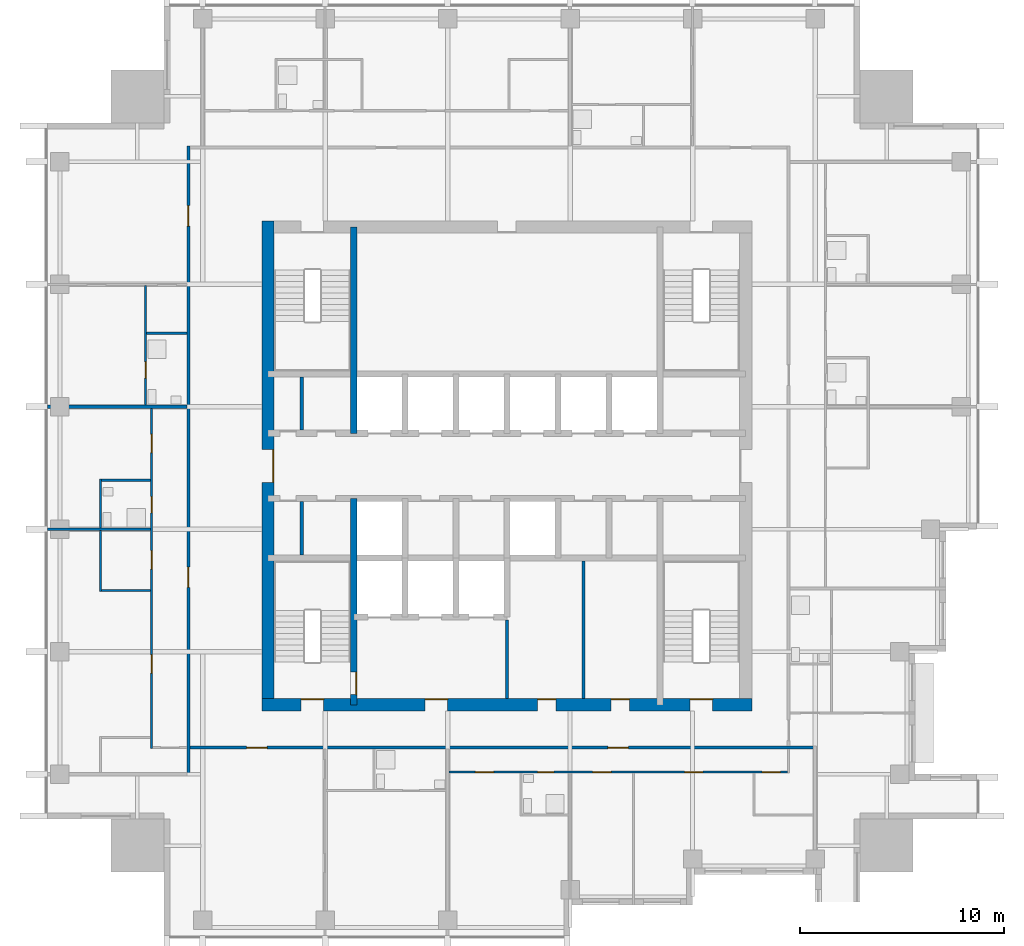
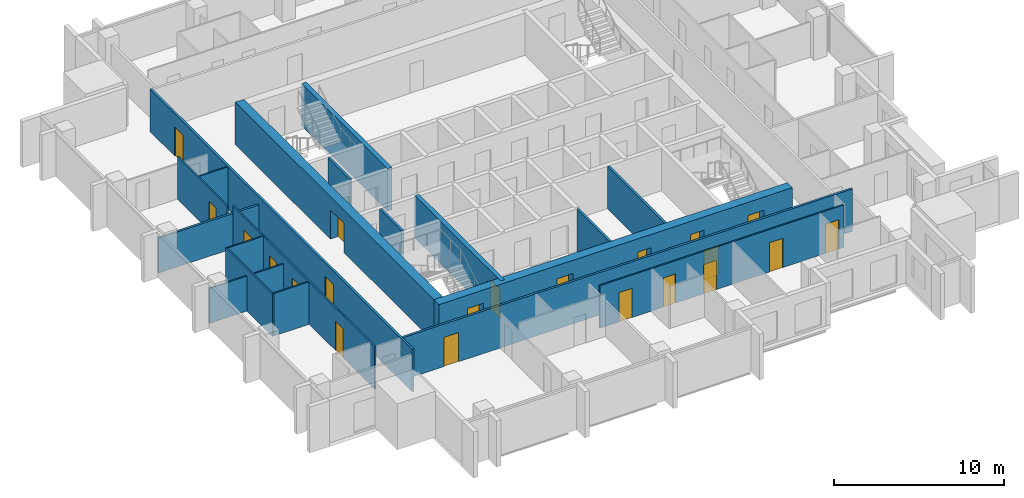
# One storey, part 4 of 10: 21 doors, 19 walls, 21 openings.
"""IFC4 building model written with IfcOpenShell, lengths in metres."""

import ifcopenshell
import ifcopenshell.guid

model = None  # the IFC model being written
_history = None  # IfcOwnerHistory: only IFC2X3 demands one
_inside = {}  # id of a spatial element -> (the spatial element, [elements in it])
_under = {}  # id of a project, library or spatial element -> (it, [spatial elements below it])
_declared = {}  # id of a project -> (the project, [libraries it declares])
_typed = {}  # id of a type object -> (the type object, [elements of that type])
_made_of = {}  # id of a material, layer set ... -> (it, [elements and type objects made of it])


def new_model(schema):
    """Start an empty IFC model of exactly this schema.

    Asked for "IFC4X3", IfcOpenShell would pick the latest addendum, in which some entities
    have other attributes; the version numbers below select the first issue.
    IFC2X3 requires an IfcOwnerHistory on every rooted entity: one is made here for all.
    """
    global model, _history
    if schema == "IFC4X3":
        model = ifcopenshell.file(schema_version=(4, 3, 0, 0))
    else:
        model = ifcopenshell.file(schema=schema)
    _inside.clear()
    _under.clear()
    _declared.clear()
    _typed.clear()
    _made_of.clear()
    _history = None
    if model.schema == "IFC2X3":
        org = make("IfcOrganization", Name="unknown")
        user = make(
            "IfcPersonAndOrganization",
            ThePerson=make("IfcPerson", FamilyName="unknown"),
            TheOrganization=org,
        )
        app = make(
            "IfcApplication",
            ApplicationDeveloper=org,
            Version="unknown",
            ApplicationFullName="unknown",
            ApplicationIdentifier="unknown",
        )
        _history = make(
            "IfcOwnerHistory",
            OwningUser=user,
            OwningApplication=app,
            ChangeAction="ADDED",
            CreationDate=0,
        )
    return model


def make(cls, **values):
    """One entity of the class cls with the attributes given. An attribute that is None is left unset."""
    return model.create_entity(
        cls, **{name: value for name, value in values.items() if value is not None}
    )


def rooted(cls, **values):
    """An entity with a GlobalId (a new one), such as an element, a storey or a relation."""
    return make(cls, GlobalId=ifcopenshell.guid.new(), OwnerHistory=_history, **values)


def si_unit(unit_type, name, prefix=None):
    """IfcSIUnit, for example si_unit("LENGTHUNIT", "METRE", prefix="MILLI")."""
    return make("IfcSIUnit", UnitType=unit_type, Prefix=prefix, Name=name)


def assignment(units):
    """IfcUnitAssignment: the units of a project."""
    return None if units is None else make("IfcUnitAssignment", Units=units)


def point(xyz):
    """IfcCartesianPoint."""
    return None if xyz is None else make("IfcCartesianPoint", Coordinates=xyz)


def direction(xyz):
    """IfcDirection."""
    return None if xyz is None else make("IfcDirection", DirectionRatios=xyz)


def frame(location, z_axis=None, x_axis=None):
    """IfcAxis2Placement3D, a coordinate frame: its origin and axes. An axis left out is left unset."""
    return make(
        "IfcAxis2Placement3D",
        Location=point(location),
        Axis=direction(z_axis),
        RefDirection=direction(x_axis),
    )


def frame_2d(location, x_axis=None):
    """IfcAxis2Placement2D, a coordinate frame in the plane: its origin and x axis."""
    return make(
        "IfcAxis2Placement2D", Location=point(location), RefDirection=direction(x_axis)
    )


def origin():
    """The frame at (0, 0, 0) with its axes left unset."""
    return frame((0.0, 0.0, 0.0))


def place(relative_to, where):
    """IfcLocalPlacement: puts the frame where relative to a parent placement (None: the world)."""
    return make(
        "IfcLocalPlacement", PlacementRelTo=relative_to, RelativePlacement=where
    )


def context(
    kind, dimensions, precision=None, world=None, true_north=None, identifier=None
):
    """IfcGeometricRepresentationContext, for example the 3D "Model" context."""
    return make(
        "IfcGeometricRepresentationContext",
        ContextIdentifier=identifier,
        ContextType=kind,
        CoordinateSpaceDimension=dimensions,
        Precision=precision,
        WorldCoordinateSystem=world,
        TrueNorth=true_north,
    )


def subcontext(parent, identifier, kind, view, scale=None):
    """IfcGeometricRepresentationSubContext, for example "Body" below "Model"."""
    return make(
        "IfcGeometricRepresentationSubContext",
        ContextIdentifier=identifier,
        ContextType=kind,
        ParentContext=parent,
        TargetScale=scale,
        TargetView=view,
    )


def project(units=None, contexts=None):
    """IfcProject with its units and contexts."""
    return rooted(
        "IfcProject",
        Name="project",
        RepresentationContexts=contexts,
        UnitsInContext=assignment(units),
    )


def spatial(cls, under=None, at=None, **own):
    """A site, building, storey or space (cls), placed at a placement, below another one or the project."""
    s = rooted(cls, ObjectPlacement=at, **own)
    if under is not None:
        _under.setdefault(under.id(), (under, []))[1].append(s)
    return s


def profile(cls, at=None, kind="AREA", **sizes):
    """A parametric profile (cls). Its sizes go by their IFC names, for example OverallWidth=200.0."""
    return make(cls, ProfileType=kind, Position=at, **sizes)


def rectangle(**sizes):
    """IfcRectangleProfileDef."""
    return profile("IfcRectangleProfileDef", **sizes)


def extrude(swept, where, along, depth):
    """IfcExtrudedAreaSolid: the profile swept, set in the frame where, extruded along a direction by depth."""
    return make(
        "IfcExtrudedAreaSolid",
        SweptArea=swept,
        Position=where,
        ExtrudedDirection=direction(along),
        Depth=depth,
    )


def shape(context_of_items, identifier, shape_type, items):
    """IfcShapeRepresentation: the items that make up one representation, for example the "Body"."""
    return make(
        "IfcShapeRepresentation",
        ContextOfItems=context_of_items,
        RepresentationIdentifier=identifier,
        RepresentationType=shape_type,
        Items=items,
    )


def material(Name=None, Category=None):
    """IfcMaterial."""
    return make("IfcMaterial", Name=Name, Category=Category)


def layer(
    of_material, thickness, ventilated=None, Name=None, Category=None, Priority=None
):
    """IfcMaterialLayer: one layer of a wall or slab, of a material (None: an air gap)."""
    return make(
        "IfcMaterialLayer",
        Material=of_material,
        LayerThickness=thickness,
        IsVentilated=ventilated,
        Name=Name,
        Category=Category,
        Priority=Priority,
    )


def layer_set(layers, Name=None):
    """IfcMaterialLayerSet."""
    return make("IfcMaterialLayerSet", MaterialLayers=layers, LayerSetName=Name)


def made_of(thing, what):
    """Note that an element or type object is made of a material, layer set ...; save() writes the relation."""
    if what is not None:
        _made_of.setdefault(what.id(), (what, []))[1].append(thing)
    return thing


def type_object(cls, material=None, **own):
    """A type object (cls), such as IfcWallType, which elements share."""
    return made_of(rooted(cls, **own), material)


def element(
    cls,
    number,
    at=None,
    inside=None,
    cuts=None,
    type_object=None,
    material=None,
    context=None,
    identifier="Body",
    shape_type=None,
    held_by="IfcProductDefinitionShape",
    body=None,
    shapes=None,
    **own,
):
    """One element of the class cls, such as IfcWall. Its Tag is "e" and its number.

    at: its placement. inside: the storey or other place that contains it. cuts: it is an
    opening in that element (IfcRelVoidsElement). A single representation is given by context,
    identifier, shape_type and body (its items); several are given by shapes. held_by: the class
    of the entity that holds the representations. save() writes the other relations.
    """
    e = rooted(cls, Tag="e%d" % number, ObjectPlacement=at, **own)
    if body is not None:
        shapes = [shape(context, identifier, shape_type, body)]
    if shapes is not None:
        e.Representation = make(held_by, Representations=shapes)
    if inside is not None:
        _inside.setdefault(inside.id(), (inside, []))[1].append(e)
    if cuts is not None:
        rooted(
            "IfcRelVoidsElement", RelatingBuildingElement=cuts, RelatedOpeningElement=e
        )
    if type_object is not None:
        _typed.setdefault(type_object.id(), (type_object, []))[1].append(e)
    return made_of(e, material)


def fill(opening, filler):
    """IfcRelFillsElement: the door or window that sits in an opening."""
    return rooted(
        "IfcRelFillsElement",
        RelatingOpeningElement=opening,
        RelatedBuildingElement=filler,
    )


def aggregate(whole, parts):
    """IfcRelAggregates: a whole, such as a stair, and the parts it consists of."""
    return rooted("IfcRelAggregates", RelatingObject=whole, RelatedObjects=parts)


def save(model, path):
    """Write the relations noted so far, then the file.

    IfcRelAggregates (storeys below a building ...), IfcRelContainedInSpatialStructure (elements
    in a storey), IfcRelDefinesByType, IfcRelAssociatesMaterial and IfcRelDeclares: one each for
    every whole, place, type object, material and project.
    """
    for whole, parts in _under.values():
        aggregate(whole, parts)
    for where, things in _inside.values():
        rooted(
            "IfcRelContainedInSpatialStructure",
            RelatedElements=things,
            RelatingStructure=where,
        )
    for kind, things in _typed.values():
        rooted("IfcRelDefinesByType", RelatedObjects=things, RelatingType=kind)
    for what, things in _made_of.values():
        rooted("IfcRelAssociatesMaterial", RelatedObjects=things, RelatingMaterial=what)
    for by, libraries in _declared.values():
        rooted("IfcRelDeclares", RelatingContext=by, RelatedDefinitions=libraries)
    model.write(path)


model = new_model("IFC4")

# Units and contexts
model_context = context("Model", 3, precision=1e-05, world=origin(), true_north=direction((0.0, 1.0)))
body_context = subcontext(model_context, "Body", "Model", "MODEL_VIEW")
ifc_project = project(units=[si_unit("LENGTHUNIT", "METRE"), si_unit("AREAUNIT", "SQUARE_METRE"), si_unit("VOLUMEUNIT", "CUBIC_METRE"), si_unit("PLANEANGLEUNIT", "RADIAN"), si_unit("MASSUNIT", "GRAM", prefix="KILO")], contexts=[model_context])

# Site, building, storey
site_placement = place(None, origin())
site = spatial("IfcSite", under=ifc_project, at=site_placement, CompositionType="ELEMENT")
building_placement = place(site_placement, origin())
building = spatial("IfcBuilding", under=site, at=building_placement, Name="Amberfall Residences", CompositionType="ELEMENT")
storey_placement = place(building_placement, frame((0.0, 0.0, 190.300048828125)))
storey = spatial("IfcBuildingStorey", under=building, at=storey_placement, Name="L50", CompositionType="ELEMENT", Elevation=190.300048828125)

# Wall, opening, door
ifc_material_1 = material(Name="Concrete C55", Category="concrete")
ifc_layer_1 = layer(ifc_material_1, 0.300048828125)
ifc_layer_set_1 = layer_set([ifc_layer_1], Name="Core wall 300 C55")
wall_type_1 = type_object("IfcWallType", Name="Core wall 300 C55", PredefinedType="SHEAR", material=ifc_layer_set_1)
wall_1_placement = place(storey_placement, frame((67.0, 33.800048828125, 0.0), z_axis=(0.0, 0.0, 1.0), x_axis=(0.0, 1.0, 0.0)))
wall_1 = element("IfcWall", 1, at=wall_1_placement, inside=storey, type_object=wall_type_1, Name="Core wall RW8 L50 V45S", PredefinedType="SHEAR", context=body_context, shape_type="SweptSolid", body=[
    extrude(rectangle(XDim=10.099853515625, YDim=0.300048828125, at=frame_2d((5.0498046875, 0.0))), origin(), (0.0, 0.0, 1.0), 3.050048828125),
])
opening_1_placement = place(wall_1_placement, frame((0.5, 0.0, 0.0)))
opening_1 = element("IfcOpeningElement", 2, at=opening_1_placement, cuts=wall_1, Name="Opening FL1", PredefinedType="OPENING", context=body_context, shape_type="SweptSolid", body=[
    extrude(rectangle(XDim=1.10009765625, YDim=2.10009765625, at=frame_2d((0.550048828125, 1.050048828125))), frame((0.0, 0.159912109375, 0.0), z_axis=(0.0, -1.0, 0.0), x_axis=(1.0, 0.0, 0.0)), (0.0, 0.0, 1.0), 0.320068359375),
])
ifc_material_2 = material(Name="Steel fire door set", Category="steel")
door_type_1 = type_object("IfcDoorType", Name="Firefighting lobby door 1100 x 2100", OperationType="SINGLE_SWING_LEFT", PredefinedType="DOOR", material=ifc_material_2)
door_1_placement = place(opening_1_placement, origin())
door_1 = element("IfcDoor", 3, at=door_1_placement, inside=storey, type_object=door_type_1, Name="FL1 L50", OperationType="SINGLE_SWING_RIGHT", OverallHeight=2.10009765625, OverallWidth=1.10009765625, PredefinedType="DOOR", context=body_context, shape_type="SweptSolid", body=[
    extrude(rectangle(XDim=1.10009765625, YDim=2.10009765625, at=frame_2d((0.550048828125, 1.050048828125))), frame((0.0, -0.08740234375, 0.0), z_axis=(0.0, -1.0, 0.0), x_axis=(1.0, 0.0, 0.0)), (0.0, 0.0, 1.0), 0.050048828125),
])
fill(opening_1, door_1)

# Wall
wall_2_placement = place(storey_placement, frame((67.0, 47.10009765625, 0.0), z_axis=(0.0, 0.0, 1.0), x_axis=(0.0, 1.0, 0.0)))
element("IfcWall", 4, at=wall_2_placement, inside=storey, type_object=wall_type_1, Name="Core wall RW8 L50 V45N", PredefinedType="SHEAR", context=body_context, shape_type="SweptSolid", body=[
    extrude(rectangle(XDim=10.099853515625, YDim=0.300048828125, at=frame_2d((5.0498046875, 0.0))), origin(), (0.0, 0.0, 1.0), 3.050048828125),
])

# Wall, openings, doors
ifc_layer_2 = layer(ifc_material_1, 0.60009765625)
ifc_layer_set_2 = layer_set([ifc_layer_2], Name="Core wall 600 C55")
wall_type_2 = type_object("IfcWallType", Name="Core wall 600 C55", PredefinedType="SHEAR", material=ifc_layer_set_2)
wall_3_placement = place(storey_placement, frame((62.5, 33.800048828125, 0.0), z_axis=(0.0, 0.0, 1.0), x_axis=(1.0, 0.0, 0.0)))
wall_3 = element("IfcWall", 5, at=wall_3_placement, inside=storey, type_object=wall_type_2, Name="Core wall RW7 L50 OS", PredefinedType="SHEAR", context=body_context, shape_type="SweptSolid", body=[
    extrude(rectangle(XDim=24.0, YDim=0.60009765625, at=frame_2d((12.0, 0.0))), origin(), (0.0, 0.0, 1.0), 3.050048828125),
])
opening_2_placement = place(wall_3_placement, frame((1.925048828125, 0.0, 0.0)))
opening_2 = element("IfcOpeningElement", 6, at=opening_2_placement, cuts=wall_3, Name="Opening SD1", PredefinedType="OPENING", context=body_context, shape_type="SweptSolid", body=[
    extrude(rectangle(XDim=1.10009765625, YDim=2.10009765625, at=frame_2d((0.550048828125, 1.050048828125))), frame((0.0, 0.31005859375, 0.0), z_axis=(0.0, -1.0, 0.0), x_axis=(1.0, 0.0, 0.0)), (0.0, 0.0, 1.0), 0.6201171875),
])
opening_3_placement = place(wall_3_placement, frame((20.97509765625, 0.0, 0.0)))
opening_3 = element("IfcOpeningElement", 7, at=opening_3_placement, cuts=wall_3, Name="Opening SD1", PredefinedType="OPENING", context=body_context, shape_type="SweptSolid", body=[
    extrude(rectangle(XDim=1.10009765625, YDim=2.10009765625, at=frame_2d((0.550048828125, 1.050048828125))), frame((0.0, 0.31005859375, 0.0), z_axis=(0.0, -1.0, 0.0), x_axis=(1.0, 0.0, 0.0)), (0.0, 0.0, 1.0), 0.6201171875),
])
opening_4_placement = place(wall_3_placement, frame((8.0, 0.0, 0.0)))
opening_4 = element("IfcOpeningElement", 8, at=opening_4_placement, cuts=wall_3, Name="Opening FL1", PredefinedType="OPENING", context=body_context, shape_type="SweptSolid", body=[
    extrude(rectangle(XDim=1.10009765625, YDim=2.10009765625, at=frame_2d((0.550048828125, 1.050048828125))), frame((0.0, 0.31005859375, 0.0), z_axis=(0.0, -1.0, 0.0), x_axis=(1.0, 0.0, 0.0)), (0.0, 0.0, 1.0), 0.6201171875),
])
opening_5_placement = place(wall_3_placement, frame((13.5, 0.0, 0.0)))
opening_5 = element("IfcOpeningElement", 9, at=opening_5_placement, cuts=wall_3, Name="Opening RD1", PredefinedType="OPENING", context=body_context, shape_type="SweptSolid", body=[
    extrude(rectangle(XDim=0.89990234375, YDim=2.10009765625, at=frame_2d((0.449951171875, 1.050048828125))), frame((0.0, 0.31005859375, 0.0), z_axis=(0.0, -1.0, 0.0), x_axis=(1.0, 0.0, 0.0)), (0.0, 0.0, 1.0), 0.6201171875),
])
opening_6_placement = place(wall_3_placement, frame((17.10009765625, 0.0, 0.0)))
opening_6 = element("IfcOpeningElement", 10, at=opening_6_placement, cuts=wall_3, Name="Opening RD1", PredefinedType="OPENING", context=body_context, shape_type="SweptSolid", body=[
    extrude(rectangle(XDim=0.89990234375, YDim=2.10009765625, at=frame_2d((0.449951171875, 1.050048828125))), frame((0.0, 0.31005859375, 0.0), z_axis=(0.0, -1.0, 0.0), x_axis=(1.0, 0.0, 0.0)), (0.0, 0.0, 1.0), 0.6201171875),
])
door_2_placement = place(opening_4_placement, origin())
door_2 = element("IfcDoor", 11, at=door_2_placement, inside=storey, type_object=door_type_1, Name="FL1 L50", OperationType="SINGLE_SWING_LEFT", OverallHeight=2.10009765625, OverallWidth=1.10009765625, PredefinedType="DOOR", context=body_context, shape_type="SweptSolid", body=[
    extrude(rectangle(XDim=1.10009765625, YDim=2.10009765625, at=frame_2d((0.550048828125, 1.050048828125))), frame((0.0, 0.28759765625, 0.0), z_axis=(0.0, -1.0, 0.0), x_axis=(1.0, 0.0, 0.0)), (0.0, 0.0, 1.0), 0.050048828125),
])
fill(opening_4, door_2)
door_type_2 = type_object("IfcDoorType", Name="Service room door 900 x 2100", OperationType="SINGLE_SWING_LEFT", PredefinedType="DOOR", material=ifc_material_2)
door_3_placement = place(opening_5_placement, origin())
door_3 = element("IfcDoor", 12, at=door_3_placement, inside=storey, type_object=door_type_2, Name="RD1 L50", OperationType="SINGLE_SWING_LEFT", OverallHeight=2.10009765625, OverallWidth=0.89990234375, PredefinedType="DOOR", context=body_context, shape_type="SweptSolid", body=[
    extrude(rectangle(XDim=0.89990234375, YDim=2.10009765625, at=frame_2d((0.449951171875, 1.050048828125))), frame((0.0, 0.28759765625, 0.0), z_axis=(0.0, -1.0, 0.0), x_axis=(1.0, 0.0, 0.0)), (0.0, 0.0, 1.0), 0.050048828125),
])
fill(opening_5, door_3)
door_4_placement = place(opening_6_placement, origin())
door_4 = element("IfcDoor", 13, at=door_4_placement, inside=storey, type_object=door_type_2, Name="RD1 L50", OperationType="SINGLE_SWING_LEFT", OverallHeight=2.10009765625, OverallWidth=0.89990234375, PredefinedType="DOOR", context=body_context, shape_type="SweptSolid", body=[
    extrude(rectangle(XDim=0.89990234375, YDim=2.10009765625, at=frame_2d((0.449951171875, 1.050048828125))), frame((0.0, 0.28759765625, 0.0), z_axis=(0.0, -1.0, 0.0), x_axis=(1.0, 0.0, 0.0)), (0.0, 0.0, 1.0), 0.050048828125),
])
fill(opening_6, door_4)
door_type_3 = type_object("IfcDoorType", Name="Stair door 1100 x 2100", OperationType="SINGLE_SWING_LEFT", PredefinedType="DOOR", material=ifc_material_2)
door_5_placement = place(opening_2_placement, origin())
door_5 = element("IfcDoor", 14, at=door_5_placement, inside=storey, type_object=door_type_3, Name="SD1 L50", OperationType="SINGLE_SWING_LEFT", OverallHeight=2.10009765625, OverallWidth=1.10009765625, PredefinedType="DOOR", context=body_context, shape_type="SweptSolid", body=[
    extrude(rectangle(XDim=1.10009765625, YDim=2.10009765625, at=frame_2d((0.550048828125, 1.050048828125))), frame((0.0, 0.28759765625, 0.0), z_axis=(0.0, -1.0, 0.0), x_axis=(1.0, 0.0, 0.0)), (0.0, 0.0, 1.0), 0.050048828125),
])
fill(opening_2, door_5)
door_6_placement = place(opening_3_placement, origin())
door_6 = element("IfcDoor", 15, at=door_6_placement, inside=storey, type_object=door_type_3, Name="SD1 L50", OperationType="SINGLE_SWING_RIGHT", OverallHeight=2.10009765625, OverallWidth=1.10009765625, PredefinedType="DOOR", context=body_context, shape_type="SweptSolid", body=[
    extrude(rectangle(XDim=1.10009765625, YDim=2.10009765625, at=frame_2d((0.550048828125, 1.050048828125))), frame((0.0, 0.28759765625, 0.0), z_axis=(0.0, -1.0, 0.0), x_axis=(1.0, 0.0, 0.0)), (0.0, 0.0, 1.0), 0.050048828125),
])
fill(opening_3, door_6)

# Wall, opening, door
wall_4_placement = place(storey_placement, frame((62.800048828125, 33.5, 0.0), z_axis=(0.0, 0.0, 1.0), x_axis=(0.0, 1.0, 0.0)))
wall_4 = element("IfcWall", 16, at=wall_4_placement, inside=storey, type_object=wall_type_2, Name="Core wall RW7 L50 OW", PredefinedType="SHEAR", context=body_context, shape_type="SweptSolid", body=[
    extrude(rectangle(XDim=24.0, YDim=0.60009765625, at=frame_2d((12.0, 0.0))), origin(), (0.0, 0.0, 1.0), 3.050048828125),
])
opening_7_placement = place(wall_4_placement, frame((11.199951171875, 0.0, 0.0)))
opening_7 = element("IfcOpeningElement", 17, at=opening_7_placement, cuts=wall_4, Name="Opening LB1", PredefinedType="OPENING", context=body_context, shape_type="SweptSolid", body=[
    extrude(rectangle(XDim=1.60009765625, YDim=2.10009765625, at=frame_2d((0.800048828125, 1.050048828125))), frame((0.0, 0.31005859375, 0.0), z_axis=(0.0, -1.0, 0.0), x_axis=(1.0, 0.0, 0.0)), (0.0, 0.0, 1.0), 0.6201171875),
])
door_type_4 = type_object("IfcDoorType", Name="Lift lobby double door 1600 x 2100", OperationType="DOUBLE_DOOR_SINGLE_SWING", PredefinedType="DOOR", material=ifc_material_2)
door_7_placement = place(opening_7_placement, origin())
door_7 = element("IfcDoor", 18, at=door_7_placement, inside=storey, type_object=door_type_4, Name="LB1 L50", OperationType="DOUBLE_DOOR_SINGLE_SWING", OverallHeight=2.10009765625, OverallWidth=1.60009765625, PredefinedType="DOOR", context=body_context, shape_type="SweptSolid", body=[
    extrude(rectangle(XDim=1.60009765625, YDim=2.10009765625, at=frame_2d((0.800048828125, 1.050048828125))), frame((0.0, -0.2373046875, 0.0), z_axis=(0.0, -1.0, 0.0), x_axis=(1.0, 0.0, 0.0)), (0.0, 0.0, 1.0), 0.050048828125),
])
fill(opening_7, door_7)

# Wall
ifc_material_3 = material(Name="Gypsum board on metal stud")
ifc_layer_3 = layer(ifc_material_3, 0.10009765625)
ifc_layer_set_3 = layer_set([ifc_layer_3], Name="Flat partition 100")
wall_type_3 = type_object("IfcWallType", Name="Flat partition 100", PredefinedType="PARTITIONING", material=ifc_layer_set_3)
wall_5_placement = place(storey_placement, frame((54.60009765625, 39.35009765625, 0.0), z_axis=(0.0, 0.0, 1.0), x_axis=(0.0, 1.0, 0.0)))
element("IfcWall", 19, at=wall_5_placement, inside=storey, type_object=wall_type_3, Name="Partition 002", PredefinedType="PARTITIONING", context=body_context, shape_type="SweptSolid", body=[
    extrude(rectangle(XDim=5.5, YDim=0.10009765625, at=frame_2d((2.75, 0.0))), origin(), (0.0, 0.0, 1.0), 3.050048828125),
])

# Wall, opening, door
wall_6_placement = place(storey_placement, frame((56.800048828125, 54.35009765625, 0.0), z_axis=(0.0, 0.0, 1.0), x_axis=(0.0, -1.0, 0.0)))
wall_6 = element("IfcWall", 20, at=wall_6_placement, inside=storey, type_object=wall_type_3, Name="Partition 003", PredefinedType="PARTITIONING", context=body_context, shape_type="SweptSolid", body=[
    extrude(rectangle(XDim=5.875, YDim=0.10009765625, at=frame_2d((2.9375, 0.0))), origin(), (0.0, 0.0, 1.0), 3.050048828125),
])
opening_8_placement = place(wall_6_placement, frame((3.75, 0.0, 0.0)))
opening_8 = element("IfcOpeningElement", 21, at=opening_8_placement, cuts=wall_6, Name="Opening D42", PredefinedType="OPENING", context=body_context, shape_type="SweptSolid", body=[
    extrude(rectangle(XDim=0.800048828125, YDim=2.10009765625, at=frame_2d((0.39990234375, 1.050048828125))), frame((0.0, 0.06005859375, 0.0), z_axis=(0.0, -1.0, 0.0), x_axis=(1.0, 0.0, 0.0)), (0.0, 0.0, 1.0), 0.1201171875),
])
ifc_material_4 = material(Name="Timber", Category="wood")
door_type_5 = type_object("IfcDoorType", Name="Bathroom door 800 x 2100", OperationType="SINGLE_SWING_LEFT", PredefinedType="DOOR", material=ifc_material_4)
door_8_placement = place(opening_8_placement, origin())
door_8 = element("IfcDoor", 22, at=door_8_placement, inside=storey, type_object=door_type_5, Name="Door 5008 bath1", OperationType="SINGLE_SWING_LEFT", OverallHeight=2.10009765625, OverallWidth=0.800048828125, PredefinedType="DOOR", context=body_context, shape_type="SweptSolid", body=[
    extrude(rectangle(XDim=0.800048828125, YDim=2.10009765625, at=frame_2d((0.39990234375, 1.050048828125))), frame((0.0, 0.02490234375, 0.0), z_axis=(0.0, -1.0, 0.0), x_axis=(1.0, 0.0, 0.0)), (0.0, 0.0, 1.0), 0.050048828125),
])
fill(opening_8, door_8)

# Wall, openings, doors
wall_7_placement = place(storey_placement, frame((57.10009765625, 31.64990234375, 0.0), z_axis=(0.0, 0.0, 1.0), x_axis=(0.0, 1.0, 0.0)))
wall_7 = element("IfcWall", 23, at=wall_7_placement, inside=storey, type_object=wall_type_3, Name="Partition 004", PredefinedType="PARTITIONING", context=body_context, shape_type="SweptSolid", body=[
    extrude(rectangle(XDim=16.675048828125, YDim=0.10009765625, at=frame_2d((8.33740234375, 0.0))), origin(), (0.0, 0.0, 1.0), 3.050048828125),
])
opening_9_placement = place(wall_7_placement, frame((3.699951171875, 0.0, 0.0)))
opening_9 = element("IfcOpeningElement", 24, at=opening_9_placement, cuts=wall_7, Name="Opening D41", PredefinedType="OPENING", context=body_context, shape_type="SweptSolid", body=[
    extrude(rectangle(XDim=0.89990234375, YDim=2.10009765625, at=frame_2d((0.449951171875, 1.050048828125))), frame((0.0, 0.06005859375, 0.0), z_axis=(0.0, -1.0, 0.0), x_axis=(1.0, 0.0, 0.0)), (0.0, 0.0, 1.0), 0.1201171875),
])
opening_10_placement = place(wall_7_placement, frame((8.800048828125, 0.0, 0.0)))
opening_10 = element("IfcOpeningElement", 25, at=opening_10_placement, cuts=wall_7, Name="Opening D41", PredefinedType="OPENING", context=body_context, shape_type="SweptSolid", body=[
    extrude(rectangle(XDim=0.89990234375, YDim=2.10009765625, at=frame_2d((0.449951171875, 1.050048828125))), frame((0.0, 0.06005859375, 0.0), z_axis=(0.0, -1.0, 0.0), x_axis=(1.0, 0.0, 0.0)), (0.0, 0.0, 1.0), 0.1201171875),
])
opening_11_placement = place(wall_7_placement, frame((14.5, 0.0, 0.0)))
opening_11 = element("IfcOpeningElement", 26, at=opening_11_placement, cuts=wall_7, Name="Opening D41", PredefinedType="OPENING", context=body_context, shape_type="SweptSolid", body=[
    extrude(rectangle(XDim=0.89990234375, YDim=2.10009765625, at=frame_2d((0.449951171875, 1.050048828125))), frame((0.0, 0.06005859375, 0.0), z_axis=(0.0, -1.0, 0.0), x_axis=(1.0, 0.0, 0.0)), (0.0, 0.0, 1.0), 0.1201171875),
])
opening_12_placement = place(wall_7_placement, frame((11.550048828125, 0.0, 0.0)))
opening_12 = element("IfcOpeningElement", 27, at=opening_12_placement, cuts=wall_7, Name="Opening D42", PredefinedType="OPENING", context=body_context, shape_type="SweptSolid", body=[
    extrude(rectangle(XDim=0.800048828125, YDim=2.10009765625, at=frame_2d((0.39990234375, 1.050048828125))), frame((0.0, 0.06005859375, 0.0), z_axis=(0.0, -1.0, 0.0), x_axis=(1.0, 0.0, 0.0)), (0.0, 0.0, 1.0), 0.1201171875),
])
door_9_placement = place(opening_12_placement, origin())
door_9 = element("IfcDoor", 28, at=door_9_placement, inside=storey, type_object=door_type_5, Name="Door 5007 bath1", OperationType="SINGLE_SWING_LEFT", OverallHeight=2.10009765625, OverallWidth=0.800048828125, PredefinedType="DOOR", context=body_context, shape_type="SweptSolid", body=[
    extrude(rectangle(XDim=0.800048828125, YDim=2.10009765625, at=frame_2d((0.39990234375, 1.050048828125))), frame((0.0, 0.02490234375, 0.0), z_axis=(0.0, -1.0, 0.0), x_axis=(1.0, 0.0, 0.0)), (0.0, 0.0, 1.0), 0.050048828125),
])
fill(opening_12, door_9)
door_type_6 = type_object("IfcDoorType", Name="Internal door 900 x 2100", OperationType="SINGLE_SWING_LEFT", PredefinedType="DOOR", material=ifc_material_4)
door_10_placement = place(opening_9_placement, origin())
door_10 = element("IfcDoor", 29, at=door_10_placement, inside=storey, type_object=door_type_6, Name="Door 5007 living", OperationType="SINGLE_SWING_LEFT", OverallHeight=2.10009765625, OverallWidth=0.89990234375, PredefinedType="DOOR", context=body_context, shape_type="SweptSolid", body=[
    extrude(rectangle(XDim=0.89990234375, YDim=2.10009765625, at=frame_2d((0.449951171875, 1.050048828125))), frame((0.0, 0.02490234375, 0.0), z_axis=(0.0, -1.0, 0.0), x_axis=(1.0, 0.0, 0.0)), (0.0, 0.0, 1.0), 0.050048828125),
])
fill(opening_9, door_10)
door_11_placement = place(opening_10_placement, origin())
door_11 = element("IfcDoor", 30, at=door_11_placement, inside=storey, type_object=door_type_6, Name="Door 5007 kitchen", OperationType="SINGLE_SWING_LEFT", OverallHeight=2.10009765625, OverallWidth=0.89990234375, PredefinedType="DOOR", context=body_context, shape_type="SweptSolid", body=[
    extrude(rectangle(XDim=0.89990234375, YDim=2.10009765625, at=frame_2d((0.449951171875, 1.050048828125))), frame((0.0, 0.02490234375, 0.0), z_axis=(0.0, -1.0, 0.0), x_axis=(1.0, 0.0, 0.0)), (0.0, 0.0, 1.0), 0.050048828125),
])
fill(opening_10, door_11)
door_12_placement = place(opening_11_placement, origin())
door_12 = element("IfcDoor", 31, at=door_12_placement, inside=storey, type_object=door_type_6, Name="Door 5007 bedroom1", OperationType="SINGLE_SWING_LEFT", OverallHeight=2.10009765625, OverallWidth=0.89990234375, PredefinedType="DOOR", context=body_context, shape_type="SweptSolid", body=[
    extrude(rectangle(XDim=0.89990234375, YDim=2.10009765625, at=frame_2d((0.449951171875, 1.050048828125))), frame((0.0, 0.02490234375, 0.0), z_axis=(0.0, -1.0, 0.0), x_axis=(1.0, 0.0, 0.0)), (0.0, 0.0, 1.0), 0.050048828125),
])
fill(opening_11, door_12)

# Walls
wall_8_placement = place(storey_placement, frame((56.85009765625, 52.0, 0.0), z_axis=(0.0, 0.0, 1.0), x_axis=(1.0, 0.0, 0.0)))
element("IfcWall", 32, at=wall_8_placement, inside=storey, type_object=wall_type_3, Name="Partition 029", PredefinedType="PARTITIONING", context=body_context, shape_type="SweptSolid", body=[
    extrude(rectangle(XDim=1.974853515625, YDim=0.10009765625, at=frame_2d((0.9873046875, 0.0))), origin(), (0.0, 0.0, 1.0), 3.050048828125),
])
wall_9_placement = place(storey_placement, frame((54.64990234375, 44.800048828125, 0.0), z_axis=(0.0, 0.0, 1.0), x_axis=(1.0, 0.0, 0.0)))
element("IfcWall", 33, at=wall_9_placement, inside=storey, type_object=wall_type_3, Name="Partition 033", PredefinedType="PARTITIONING", context=body_context, shape_type="SweptSolid", body=[
    extrude(rectangle(XDim=2.400146484375, YDim=0.10009765625, at=frame_2d((1.2001953125, 0.0))), origin(), (0.0, 0.0, 1.0), 3.050048828125),
])
wall_10_placement = place(storey_placement, frame((52.0, 42.39990234375, 0.0), z_axis=(0.0, 0.0, 1.0), x_axis=(1.0, 0.0, 0.0)))
element("IfcWall", 34, at=wall_10_placement, inside=storey, type_object=wall_type_3, Name="Partition 034", PredefinedType="PARTITIONING", context=body_context, shape_type="SweptSolid", body=[
    extrude(rectangle(XDim=5.050048828125, YDim=0.10009765625, at=frame_2d((2.52490234375, 0.0))), origin(), (0.0, 0.0, 1.0), 2.515869140625),
])
wall_11_placement = place(storey_placement, frame((54.64990234375, 39.39990234375, 0.0), z_axis=(0.0, 0.0, 1.0), x_axis=(1.0, 0.0, 0.0)))
element("IfcWall", 35, at=wall_11_placement, inside=storey, type_object=wall_type_3, Name="Partition 035", PredefinedType="PARTITIONING", context=body_context, shape_type="SweptSolid", body=[
    extrude(rectangle(XDim=2.400146484375, YDim=0.10009765625, at=frame_2d((1.2001953125, 0.0))), origin(), (0.0, 0.0, 1.0), 3.050048828125),
])

# Wall, openings, doors
wall_12_placement = place(storey_placement, frame((88.25, 30.5, 0.0), z_axis=(0.0, 0.0, 1.0), x_axis=(-1.0, 0.0, 0.0)))
wall_12 = element("IfcWall", 36, at=wall_12_placement, inside=storey, type_object=wall_type_3, Name="Partition 040", PredefinedType="PARTITIONING", context=body_context, shape_type="SweptSolid", body=[
    extrude(rectangle(XDim=16.574951171875, YDim=0.10009765625, at=frame_2d((8.28759765625, 0.0))), origin(), (0.0, 0.0, 1.0), 3.050048828125),
])
opening_13_placement = place(wall_12_placement, frame((4.14990234375, 0.0, 0.0)))
opening_13 = element("IfcOpeningElement", 37, at=opening_13_placement, cuts=wall_12, Name="Opening D41", PredefinedType="OPENING", context=body_context, shape_type="SweptSolid", body=[
    extrude(rectangle(XDim=0.89990234375, YDim=2.10009765625, at=frame_2d((0.449951171875, 1.050048828125))), frame((0.0, 0.06005859375, 0.0), z_axis=(0.0, -1.0, 0.0), x_axis=(1.0, 0.0, 0.0)), (0.0, 0.0, 1.0), 0.1201171875),
])
opening_14_placement = place(wall_12_placement, frame((0.35009765625, 0.0, 0.0)))
opening_14 = element("IfcOpeningElement", 38, at=opening_14_placement, cuts=wall_12, Name="Opening D41", PredefinedType="OPENING", context=body_context, shape_type="SweptSolid", body=[
    extrude(rectangle(XDim=0.89990234375, YDim=2.10009765625, at=frame_2d((0.449951171875, 1.050048828125))), frame((0.0, 0.06005859375, 0.0), z_axis=(0.0, -1.0, 0.0), x_axis=(1.0, 0.0, 0.0)), (0.0, 0.0, 1.0), 0.1201171875),
])
opening_15_placement = place(wall_12_placement, frame((14.39990234375, 0.0, 0.0)))
opening_15 = element("IfcOpeningElement", 39, at=opening_15_placement, cuts=wall_12, Name="Opening D41", PredefinedType="OPENING", context=body_context, shape_type="SweptSolid", body=[
    extrude(rectangle(XDim=0.89990234375, YDim=2.10009765625, at=frame_2d((0.449951171875, 1.050048828125))), frame((0.0, 0.06005859375, 0.0), z_axis=(0.0, -1.0, 0.0), x_axis=(1.0, 0.0, 0.0)), (0.0, 0.0, 1.0), 0.1201171875),
])
opening_16_placement = place(wall_12_placement, frame((8.64990234375, 0.0, 0.0)))
opening_16 = element("IfcOpeningElement", 40, at=opening_16_placement, cuts=wall_12, Name="Opening D41", PredefinedType="OPENING", context=body_context, shape_type="SweptSolid", body=[
    extrude(rectangle(XDim=0.89990234375, YDim=2.10009765625, at=frame_2d((0.449951171875, 1.050048828125))), frame((0.0, 0.06005859375, 0.0), z_axis=(0.0, -1.0, 0.0), x_axis=(1.0, 0.0, 0.0)), (0.0, 0.0, 1.0), 0.1201171875),
])
opening_17_placement = place(wall_12_placement, frame((11.449951171875, 0.0, 0.0)))
opening_17 = element("IfcOpeningElement", 41, at=opening_17_placement, cuts=wall_12, Name="Opening D42", PredefinedType="OPENING", context=body_context, shape_type="SweptSolid", body=[
    extrude(rectangle(XDim=0.800048828125, YDim=2.10009765625, at=frame_2d((0.39990234375, 1.050048828125))), frame((0.0, 0.06005859375, 0.0), z_axis=(0.0, -1.0, 0.0), x_axis=(1.0, 0.0, 0.0)), (0.0, 0.0, 1.0), 0.1201171875),
])
door_13_placement = place(opening_17_placement, origin())
door_13 = element("IfcDoor", 42, at=door_13_placement, inside=storey, type_object=door_type_5, Name="Door 5002 bath1", OperationType="SINGLE_SWING_LEFT", OverallHeight=2.10009765625, OverallWidth=0.800048828125, PredefinedType="DOOR", context=body_context, shape_type="SweptSolid", body=[
    extrude(rectangle(XDim=0.800048828125, YDim=2.10009765625, at=frame_2d((0.39990234375, 1.050048828125))), frame((0.0, 0.02490234375, 0.0), z_axis=(0.0, -1.0, 0.0), x_axis=(1.0, 0.0, 0.0)), (0.0, 0.0, 1.0), 0.050048828125),
])
fill(opening_17, door_13)
door_14_placement = place(opening_13_placement, origin())
door_14 = element("IfcDoor", 43, at=door_14_placement, inside=storey, type_object=door_type_6, Name="Door 5002 living", OperationType="SINGLE_SWING_LEFT", OverallHeight=2.10009765625, OverallWidth=0.89990234375, PredefinedType="DOOR", context=body_context, shape_type="SweptSolid", body=[
    extrude(rectangle(XDim=0.89990234375, YDim=2.10009765625, at=frame_2d((0.449951171875, 1.050048828125))), frame((0.0, 0.02490234375, 0.0), z_axis=(0.0, -1.0, 0.0), x_axis=(1.0, 0.0, 0.0)), (0.0, 0.0, 1.0), 0.050048828125),
])
fill(opening_13, door_14)
door_15_placement = place(opening_14_placement, origin())
door_15 = element("IfcDoor", 44, at=door_15_placement, inside=storey, type_object=door_type_6, Name="Door 5002 kitchen", OperationType="SINGLE_SWING_LEFT", OverallHeight=2.10009765625, OverallWidth=0.89990234375, PredefinedType="DOOR", context=body_context, shape_type="SweptSolid", body=[
    extrude(rectangle(XDim=0.89990234375, YDim=2.10009765625, at=frame_2d((0.449951171875, 1.050048828125))), frame((0.0, 0.02490234375, 0.0), z_axis=(0.0, -1.0, 0.0), x_axis=(1.0, 0.0, 0.0)), (0.0, 0.0, 1.0), 0.050048828125),
])
fill(opening_14, door_15)
door_16_placement = place(opening_15_placement, origin())
door_16 = element("IfcDoor", 45, at=door_16_placement, inside=storey, type_object=door_type_6, Name="Door 5002 bedroom1", OperationType="SINGLE_SWING_LEFT", OverallHeight=2.10009765625, OverallWidth=0.89990234375, PredefinedType="DOOR", context=body_context, shape_type="SweptSolid", body=[
    extrude(rectangle(XDim=0.89990234375, YDim=2.10009765625, at=frame_2d((0.449951171875, 1.050048828125))), frame((0.0, 0.02490234375, 0.0), z_axis=(0.0, -1.0, 0.0), x_axis=(1.0, 0.0, 0.0)), (0.0, 0.0, 1.0), 0.050048828125),
])
fill(opening_15, door_16)
door_17_placement = place(opening_16_placement, origin())
door_17 = element("IfcDoor", 46, at=door_17_placement, inside=storey, type_object=door_type_6, Name="Door 5002 bedroom2", OperationType="SINGLE_SWING_LEFT", OverallHeight=2.10009765625, OverallWidth=0.89990234375, PredefinedType="DOOR", context=body_context, shape_type="SweptSolid", body=[
    extrude(rectangle(XDim=0.89990234375, YDim=2.10009765625, at=frame_2d((0.449951171875, 1.050048828125))), frame((0.0, 0.02490234375, 0.0), z_axis=(0.0, -1.0, 0.0), x_axis=(1.0, 0.0, 0.0)), (0.0, 0.0, 1.0), 0.050048828125),
])
fill(opening_16, door_17)

ifc_material_5 = material(Name="Blockwork, plastered", Category="masonry")
ifc_layer_4 = layer(ifc_material_5, 0.14990234375)
ifc_layer_set_4 = layer_set([ifc_layer_4], Name="Flat separating wall 150")
wall_type_4 = type_object("IfcWallType", Name="Flat separating wall 150", PredefinedType="PARTITIONING", material=ifc_layer_set_4)
wall_13_placement = place(storey_placement, frame((58.89990234375, 30.324951171875, 0.0), z_axis=(0.0, 0.0, 1.0), x_axis=(0.0, 1.0, 0.0)))
wall_13 = element("IfcWall", 47, at=wall_13_placement, inside=storey, type_object=wall_type_4, Name="Separating wall 044", PredefinedType="PARTITIONING", context=body_context, shape_type="SweptSolid", body=[
    extrude(rectangle(XDim=30.85009765625, YDim=0.14990234375, at=frame_2d((15.425048828125, 0.0))), origin(), (0.0, 0.0, 1.0), 3.050048828125),
])
opening_18_placement = place(wall_13_placement, frame((9.22509765625, 0.0, 0.0)))
opening_18 = element("IfcOpeningElement", 48, at=opening_18_placement, cuts=wall_13, Name="Opening D40", PredefinedType="OPENING", context=body_context, shape_type="SweptSolid", body=[
    extrude(rectangle(XDim=1.0, YDim=2.10009765625, at=frame_2d((0.5, 1.050048828125))), frame((0.0, 0.0849609375, 0.0), z_axis=(0.0, -1.0, 0.0), x_axis=(1.0, 0.0, 0.0)), (0.0, 0.0, 1.0), 0.169921875),
])
opening_19_placement = place(wall_13_placement, frame((26.925048828125, 0.0, 0.0)))
opening_19 = element("IfcOpeningElement", 49, at=opening_19_placement, cuts=wall_13, Name="Opening D40", PredefinedType="OPENING", context=body_context, shape_type="SweptSolid", body=[
    extrude(rectangle(XDim=1.0, YDim=2.10009765625, at=frame_2d((0.5, 1.050048828125))), frame((0.0, 0.0849609375, 0.0), z_axis=(0.0, -1.0, 0.0), x_axis=(1.0, 0.0, 0.0)), (0.0, 0.0, 1.0), 0.169921875),
])
ifc_material_6 = material(Name="Timber, fire-rated", Category="wood")
door_type_7 = type_object("IfcDoorType", Name="Flat entrance door FD60 1000 x 2100", OperationType="SINGLE_SWING_LEFT", PredefinedType="DOOR", material=ifc_material_6)
door_18_placement = place(opening_18_placement, origin())
door_18 = element("IfcDoor", 50, at=door_18_placement, inside=storey, type_object=door_type_7, Name="Door 5007 entrance", OperationType="SINGLE_SWING_LEFT", OverallHeight=2.10009765625, OverallWidth=1.0, PredefinedType="DOOR", context=body_context, shape_type="SweptSolid", body=[
    extrude(rectangle(XDim=1.0, YDim=2.10009765625, at=frame_2d((0.5, 1.050048828125))), frame((0.0, 0.02490234375, 0.0), z_axis=(0.0, -1.0, 0.0), x_axis=(1.0, 0.0, 0.0)), (0.0, 0.0, 1.0), 0.050048828125),
])
fill(opening_18, door_18)
door_19_placement = place(opening_19_placement, origin())
door_19 = element("IfcDoor", 51, at=door_19_placement, inside=storey, type_object=door_type_7, Name="Door 5008 entrance", OperationType="SINGLE_SWING_LEFT", OverallHeight=2.10009765625, OverallWidth=1.0, PredefinedType="DOOR", context=body_context, shape_type="SweptSolid", body=[
    extrude(rectangle(XDim=1.0, YDim=2.10009765625, at=frame_2d((0.5, 1.050048828125))), frame((0.0, 0.02490234375, 0.0), z_axis=(0.0, -1.0, 0.0), x_axis=(1.0, 0.0, 0.0)), (0.0, 0.0, 1.0), 0.050048828125),
])
fill(opening_19, door_19)

# Wall
wall_14_placement = place(storey_placement, frame((52.0, 48.39990234375, 0.0), z_axis=(0.0, 0.0, 1.0), x_axis=(1.0, 0.0, 0.0)))
element("IfcWall", 52, at=wall_14_placement, inside=storey, type_object=wall_type_4, Name="Separating wall 052", PredefinedType="PARTITIONING", context=body_context, shape_type="SweptSolid", body=[
    extrude(rectangle(XDim=6.824951171875, YDim=0.14990234375, at=frame_2d((3.41259765625, 0.0))), origin(), (0.0, 0.0, 1.0), 2.515869140625),
])

# Wall, openings, doors
wall_15_placement = place(storey_placement, frame((89.52490234375, 31.699951171875, 0.0), z_axis=(0.0, 0.0, 1.0), x_axis=(-1.0, 0.0, 0.0)))
wall_15 = element("IfcWall", 53, at=wall_15_placement, inside=storey, type_object=wall_type_4, Name="Separating wall 054", PredefinedType="PARTITIONING", context=body_context, shape_type="SweptSolid", body=[
    extrude(rectangle(XDim=30.5498046875, YDim=0.14990234375, at=frame_2d((15.27490234375, 0.0))), origin(), (0.0, 0.0, 1.0), 3.050048828125),
])
opening_20_placement = place(wall_15_placement, frame((26.77490234375, 0.0, 0.0)))
opening_20 = element("IfcOpeningElement", 54, at=opening_20_placement, cuts=wall_15, Name="Opening D40", PredefinedType="OPENING", context=body_context, shape_type="SweptSolid", body=[
    extrude(rectangle(XDim=1.0, YDim=2.10009765625, at=frame_2d((0.5, 1.050048828125))), frame((0.0, 0.0849609375, 0.0), z_axis=(0.0, -1.0, 0.0), x_axis=(1.0, 0.0, 0.0)), (0.0, 0.0, 1.0), 0.169921875),
])
opening_21_placement = place(wall_15_placement, frame((9.074951171875, 0.0, 0.0)))
opening_21 = element("IfcOpeningElement", 55, at=opening_21_placement, cuts=wall_15, Name="Opening D40", PredefinedType="OPENING", context=body_context, shape_type="SweptSolid", body=[
    extrude(rectangle(XDim=1.0, YDim=2.10009765625, at=frame_2d((0.5, 1.050048828125))), frame((0.0, 0.0849609375, 0.0), z_axis=(0.0, -1.0, 0.0), x_axis=(1.0, 0.0, 0.0)), (0.0, 0.0, 1.0), 0.169921875),
])
door_20_placement = place(opening_20_placement, origin())
door_20 = element("IfcDoor", 56, at=door_20_placement, inside=storey, type_object=door_type_7, Name="Door 5001 entrance", OperationType="SINGLE_SWING_LEFT", OverallHeight=2.10009765625, OverallWidth=1.0, PredefinedType="DOOR", context=body_context, shape_type="SweptSolid", body=[
    extrude(rectangle(XDim=1.0, YDim=2.10009765625, at=frame_2d((0.5, 1.050048828125))), frame((0.0, 0.02490234375, 0.0), z_axis=(0.0, -1.0, 0.0), x_axis=(1.0, 0.0, 0.0)), (0.0, 0.0, 1.0), 0.050048828125),
])
fill(opening_20, door_20)
door_21_placement = place(opening_21_placement, origin())
door_21 = element("IfcDoor", 57, at=door_21_placement, inside=storey, type_object=door_type_7, Name="Door 5002 entrance", OperationType="SINGLE_SWING_LEFT", OverallHeight=2.10009765625, OverallWidth=1.0, PredefinedType="DOOR", context=body_context, shape_type="SweptSolid", body=[
    extrude(rectangle(XDim=1.0, YDim=2.10009765625, at=frame_2d((0.5, 1.050048828125))), frame((0.0, 0.02490234375, 0.0), z_axis=(0.0, -1.0, 0.0), x_axis=(1.0, 0.0, 0.0)), (0.0, 0.0, 1.0), 0.050048828125),
])
fill(opening_21, door_21)

# Walls
ifc_material_7 = material(Name="Concrete blockwork", Category="masonry")
ifc_layer_5 = layer(ifc_material_7, 0.14990234375)
ifc_layer_set_5 = layer_set([ifc_layer_5], Name="Riser wall 150")
wall_type_5 = type_object("IfcWallType", Name="Riser wall 150", PredefinedType="PLUMBINGWALL", material=ifc_layer_set_5)
wall_16_placement = place(storey_placement, frame((74.5, 34.10009765625, 0.0), z_axis=(0.0, 0.0, 1.0), x_axis=(0.0, 1.0, 0.0)))
element("IfcWall", 58, at=wall_16_placement, inside=storey, type_object=wall_type_5, Name="L50 core wall PX", PredefinedType="PLUMBINGWALL", context=body_context, shape_type="SweptSolid", body=[
    extrude(rectangle(XDim=3.849853515625, YDim=0.14990234375, at=frame_2d((1.9248046875, 0.0))), origin(), (0.0, 0.0, 1.0), 3.050048828125),
])
wall_17_placement = place(storey_placement, frame((78.25, 34.10009765625, 0.0), z_axis=(0.0, 0.0, 1.0), x_axis=(0.0, 1.0, 0.0)))
element("IfcWall", 59, at=wall_17_placement, inside=storey, type_object=wall_type_5, Name="L50 core wall E0", PredefinedType="PLUMBINGWALL", context=body_context, shape_type="SweptSolid", body=[
    extrude(rectangle(XDim=6.75, YDim=0.14990234375, at=frame_2d((3.375, 0.0))), origin(), (0.0, 0.0, 1.0), 3.050048828125),
])
for number, where, z_axis, x_axis, name in (
    (60, (64.449951171875, 41.14990234375, 0.0), (0.0, 0.0, 1.0), (0.0, 1.0, 0.0), "L50 core wall ASW0"),
    (61, (64.449951171875, 47.25, 0.0), (0.0, 0.0, 1.0), (0.0, 1.0, 0.0), "L50 core wall ANW0"),
):
    element("IfcWall", number, at=place(storey_placement, frame(where, z_axis=z_axis, x_axis=x_axis)), inside=storey, type_object=wall_type_5, Name=name, PredefinedType="PLUMBINGWALL", context=body_context, shape_type="SweptSolid", body=[
        extrude(rectangle(XDim=2.60009765625, YDim=0.14990234375, at=frame_2d((1.300048828125, 0.0))), origin(), (0.0, 0.0, 1.0), 3.050048828125),
    ])

save(model, "model.ifc")
